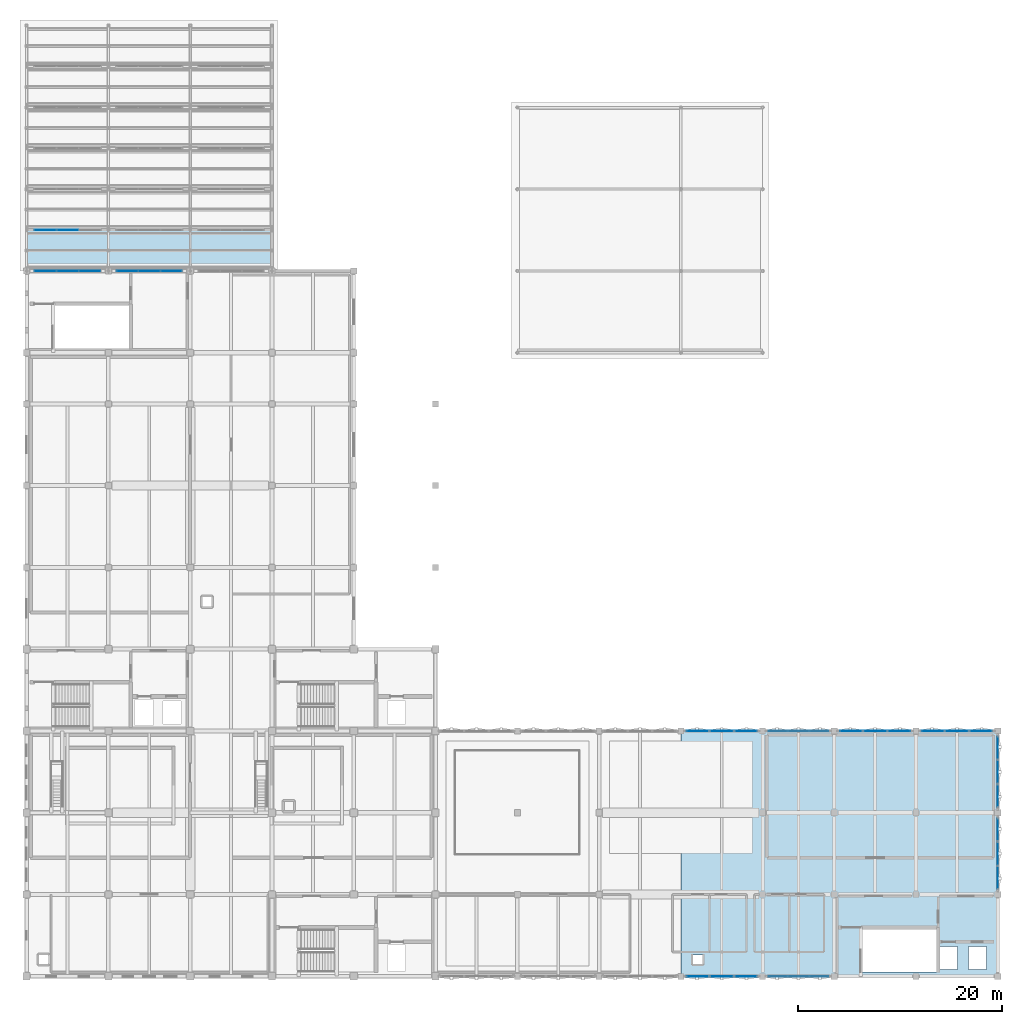
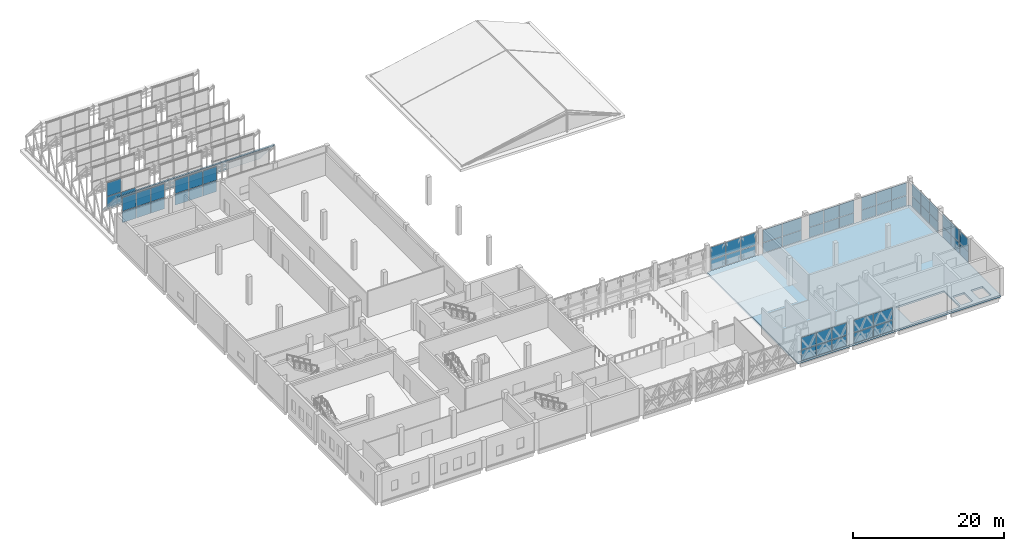
# One storey, part 30 of 43: 59 plates, 2 slabs, 12 elements without a shape of their own.
"""IFC4 building model written with IfcOpenShell, lengths in metres."""

from ifc_helpers import new_model, si_unit, direction, frame, origin, origin_2d, place, context, subcontext, project, spatial, polyline, rectangle, outline, extrude, material, layer, layer_set, type_object, element, aggregate, save


model = new_model("IFC4")

# Units and contexts
model_context = context("Model", 3, precision=1e-05, world=origin(), true_north=direction((0.0, 1.0)))
body_context = subcontext(model_context, "Body", "Model", "MODEL_VIEW")
ifc_project = project(units=[si_unit("LENGTHUNIT", "METRE"), si_unit("AREAUNIT", "SQUARE_METRE"), si_unit("VOLUMEUNIT", "CUBIC_METRE"), si_unit("PLANEANGLEUNIT", "RADIAN"), si_unit("MASSUNIT", "GRAM", prefix="KILO")], contexts=[model_context])

# Site, building, storey
site_placement = place(None, origin())
site = spatial("IfcSite", under=ifc_project, at=site_placement, CompositionType="ELEMENT")
building_placement = place(site_placement, origin())
building = spatial("IfcBuilding", under=site, at=building_placement, Name="Qorikala Patio Media Centre", CompositionType="ELEMENT")
storey_placement = place(building_placement, frame((0.0, 0.0, 18.89990234375)))
storey = spatial("IfcBuildingStorey", under=building, at=storey_placement, Name="L04", CompositionType="ELEMENT", Elevation=18.89990234375)

# Curtain wall, plates
ifc_material_1 = material(Name="Bronze Anodised Aluminium and Low-E Glass", Category="aluminium")
ifc_layer_1 = layer(ifc_material_1, 0.159912109375)
ifc_layer_set_1 = layer_set([ifc_layer_1], Name="Bronze Anodised Aluminium and Low-E Glass")
curtain_wall_type_1 = type_object("IfcCurtainWallType", Name="CW-SAW-656X420", PredefinedType="USERDEFINED", material=ifc_layer_set_1)
curtain_wall_1_placement = place(storey_placement, origin())
curtain_wall_1 = element("IfcCurtainWall", 1, at=curtain_wall_1_placement, inside=storey, type_object=curtain_wall_type_1, Name="L04 Sawtooth Glazing 142", ObjectType="SAWTOOTH GLAZING", PredefinedType="USERDEFINED")
ifc_material_2 = material(Name="Acoustic Laminated Low-E Glass", Category="glass")
ifc_layer_2 = layer(ifc_material_2, 0.031982421875)
ifc_layer_set_2 = layer_set([ifc_layer_2], Name="Acoustic Laminated Low-E Glass")
plate_type_1 = type_object("IfcPlateType", Name="CWP-32", PredefinedType="CURTAIN_PANEL", material=ifc_layer_set_2)
plate_1_placement = place(storey_placement, frame((4.828369140625, 72.0, 2.81005859375), z_axis=(0.0, 0.0, 1.0), x_axis=(1.0, 0.0, 0.0)))
plate_1 = element("IfcPlate", 2, at=plate_1_placement, type_object=plate_type_1, Name="CWS656420 panel 1.1", PredefinedType="CURTAIN_PANEL", context=body_context, shape_type="SweptSolid", body=[
    extrude(rectangle(XDim=2.0966796875, YDim=0.031982421875, at=origin_2d()), origin(), (0.0, 0.0, 1.0), 1.800048828125),
])
plate_2_placement = place(storey_placement, frame((4.828369140625, 72.0, 4.669921875), z_axis=(0.0, 0.0, 1.0), x_axis=(1.0, 0.0, 0.0)))
plate_2 = element("IfcPlate", 3, at=plate_2_placement, type_object=plate_type_1, Name="CWS656420 panel 1.2", PredefinedType="CURTAIN_PANEL", context=body_context, shape_type="SweptSolid", body=[
    extrude(rectangle(XDim=2.0966796875, YDim=0.031982421875, at=origin_2d()), origin(), (0.0, 0.0, 1.0), 2.219970703125),
])
plate_3_placement = place(storey_placement, frame((7.0, 72.0, 2.81005859375), z_axis=(0.0, 0.0, 1.0), x_axis=(1.0, 0.0, 0.0)))
plate_3 = element("IfcPlate", 4, at=plate_3_placement, type_object=plate_type_1, Name="CWS656420 panel 2.1", PredefinedType="CURTAIN_PANEL", context=body_context, shape_type="SweptSolid", body=[
    extrude(rectangle(XDim=2.126708984375, YDim=0.031982421875, at=origin_2d()), origin(), (0.0, 0.0, 1.0), 1.800048828125),
])
plate_4_placement = place(storey_placement, frame((7.0, 72.0, 4.669921875), z_axis=(0.0, 0.0, 1.0), x_axis=(1.0, 0.0, 0.0)))
plate_4 = element("IfcPlate", 5, at=plate_4_placement, type_object=plate_type_1, Name="CWS656420 panel 2.2", PredefinedType="CURTAIN_PANEL", context=body_context, shape_type="SweptSolid", body=[
    extrude(rectangle(XDim=2.126708984375, YDim=0.031982421875, at=origin_2d()), origin(), (0.0, 0.0, 1.0), 2.219970703125),
])
plate_5_placement = place(storey_placement, frame((9.171630859375, 72.0, 2.81005859375), z_axis=(0.0, 0.0, 1.0), x_axis=(1.0, 0.0, 0.0)))
plate_5 = element("IfcPlate", 6, at=plate_5_placement, type_object=plate_type_1, Name="CWS656420 panel 3.1", PredefinedType="CURTAIN_PANEL", context=body_context, shape_type="SweptSolid", body=[
    extrude(rectangle(XDim=2.0966796875, YDim=0.031982421875, at=origin_2d()), origin(), (0.0, 0.0, 1.0), 1.800048828125),
])
plate_6_placement = place(storey_placement, frame((9.171630859375, 72.0, 4.669921875), z_axis=(0.0, 0.0, 1.0), x_axis=(1.0, 0.0, 0.0)))
plate_6 = element("IfcPlate", 7, at=plate_6_placement, type_object=plate_type_1, Name="CWS656420 panel 3.2", PredefinedType="CURTAIN_PANEL", context=body_context, shape_type="SweptSolid", body=[
    extrude(rectangle(XDim=2.0966796875, YDim=0.031982421875, at=origin_2d()), origin(), (0.0, 0.0, 1.0), 2.219970703125),
])
aggregate(curtain_wall_1, [plate_1, plate_2, plate_3, plate_4, plate_5, plate_6])

ifc_layer_3 = layer(ifc_material_1, 0.159912109375)
ifc_layer_set_3 = layer_set([ifc_layer_3], Name="Bronze Anodised Aluminium and Low-E Glass")
curtain_wall_type_2 = type_object("IfcCurtainWallType", Name="CW-SAW-648X420", PredefinedType="USERDEFINED", material=ifc_layer_set_3)
curtain_wall_2_placement = place(storey_placement, origin())
curtain_wall_2 = element("IfcCurtainWall", 8, at=curtain_wall_2_placement, inside=storey, type_object=curtain_wall_type_2, Name="L04 Sawtooth Glazing 143", ObjectType="SAWTOOTH GLAZING", PredefinedType="USERDEFINED")
plate_7_placement = place(storey_placement, frame((12.85498046875, 72.0, 2.81005859375), z_axis=(0.0, 0.0, 1.0), x_axis=(1.0, 0.0, 0.0)))
plate_7 = element("IfcPlate", 9, at=plate_7_placement, type_object=plate_type_1, Name="CWS648420 panel 1.1", PredefinedType="CURTAIN_PANEL", context=body_context, shape_type="SweptSolid", body=[
    extrude(rectangle(XDim=2.070068359375, YDim=0.031982421875, at=origin_2d()), origin(), (0.0, 0.0, 1.0), 1.800048828125),
])
plate_8_placement = place(storey_placement, frame((12.85498046875, 72.0, 4.669921875), z_axis=(0.0, 0.0, 1.0), x_axis=(1.0, 0.0, 0.0)))
plate_8 = element("IfcPlate", 10, at=plate_8_placement, type_object=plate_type_1, Name="CWS648420 panel 1.2", PredefinedType="CURTAIN_PANEL", context=body_context, shape_type="SweptSolid", body=[
    extrude(rectangle(XDim=2.070068359375, YDim=0.031982421875, at=origin_2d()), origin(), (0.0, 0.0, 1.0), 2.219970703125),
])
plate_9_placement = place(storey_placement, frame((15.0, 72.0, 2.81005859375), z_axis=(0.0, 0.0, 1.0), x_axis=(1.0, 0.0, 0.0)))
plate_9 = element("IfcPlate", 11, at=plate_9_placement, type_object=plate_type_1, Name="CWS648420 panel 2.1", PredefinedType="CURTAIN_PANEL", context=body_context, shape_type="SweptSolid", body=[
    extrude(rectangle(XDim=2.10009765625, YDim=0.031982421875, at=origin_2d()), origin(), (0.0, 0.0, 1.0), 1.800048828125),
])
plate_10_placement = place(storey_placement, frame((15.0, 72.0, 4.669921875), z_axis=(0.0, 0.0, 1.0), x_axis=(1.0, 0.0, 0.0)))
plate_10 = element("IfcPlate", 12, at=plate_10_placement, type_object=plate_type_1, Name="CWS648420 panel 2.2", PredefinedType="CURTAIN_PANEL", context=body_context, shape_type="SweptSolid", body=[
    extrude(rectangle(XDim=2.10009765625, YDim=0.031982421875, at=origin_2d()), origin(), (0.0, 0.0, 1.0), 2.219970703125),
])
plate_11_placement = place(storey_placement, frame((17.14501953125, 72.0, 2.81005859375), z_axis=(0.0, 0.0, 1.0), x_axis=(1.0, 0.0, 0.0)))
plate_11 = element("IfcPlate", 13, at=plate_11_placement, type_object=plate_type_1, Name="CWS648420 panel 3.1", PredefinedType="CURTAIN_PANEL", context=body_context, shape_type="SweptSolid", body=[
    extrude(rectangle(XDim=2.070068359375, YDim=0.031982421875, at=origin_2d()), origin(), (0.0, 0.0, 1.0), 1.800048828125),
])
plate_12_placement = place(storey_placement, frame((17.14501953125, 72.0, 4.669921875), z_axis=(0.0, 0.0, 1.0), x_axis=(1.0, 0.0, 0.0)))
plate_12 = element("IfcPlate", 14, at=plate_12_placement, type_object=plate_type_1, Name="CWS648420 panel 3.2", PredefinedType="CURTAIN_PANEL", context=body_context, shape_type="SweptSolid", body=[
    extrude(rectangle(XDim=2.070068359375, YDim=0.031982421875, at=origin_2d()), origin(), (0.0, 0.0, 1.0), 2.219970703125),
])
aggregate(curtain_wall_2, [plate_7, plate_8, plate_9, plate_10, plate_11, plate_12])

ifc_layer_4 = layer(ifc_material_1, 0.159912109375)
ifc_layer_set_4 = layer_set([ifc_layer_4], Name="Bronze Anodised Aluminium and Low-E Glass")
curtain_wall_type_3 = type_object("IfcCurtainWallType", Name="CW-SAW-656X414", PredefinedType="USERDEFINED", material=ifc_layer_set_4)
curtain_wall_3_placement = place(storey_placement, origin())
curtain_wall_3 = element("IfcCurtainWall", 15, at=curtain_wall_3_placement, inside=storey, type_object=curtain_wall_type_3, Name="L04 Sawtooth Glazing 145", ObjectType="SAWTOOTH GLAZING", PredefinedType="USERDEFINED")
plate_13_placement = place(storey_placement, frame((4.828369140625, 76.0, 2.81005859375), z_axis=(0.0, 0.0, 1.0), x_axis=(1.0, 0.0, 0.0)))
plate_13 = element("IfcPlate", 16, at=plate_13_placement, type_object=plate_type_1, Name="CWS656414 panel 1.1", PredefinedType="CURTAIN_PANEL", context=body_context, shape_type="SweptSolid", body=[
    extrude(rectangle(XDim=2.0966796875, YDim=0.031982421875, at=origin_2d()), origin(), (0.0, 0.0, 1.0), 1.77294921875),
])
plate_14_placement = place(storey_placement, frame((4.828369140625, 76.0, 4.64306640625), z_axis=(0.0, 0.0, 1.0), x_axis=(1.0, 0.0, 0.0)))
plate_14 = element("IfcPlate", 17, at=plate_14_placement, type_object=plate_type_1, Name="CWS656414 panel 1.2", PredefinedType="CURTAIN_PANEL", context=body_context, shape_type="SweptSolid", body=[
    extrude(rectangle(XDim=2.0966796875, YDim=0.031982421875, at=origin_2d()), origin(), (0.0, 0.0, 1.0), 2.18701171875),
])
plate_15_placement = place(storey_placement, frame((7.0, 76.0, 2.81005859375), z_axis=(0.0, 0.0, 1.0), x_axis=(1.0, 0.0, 0.0)))
plate_15 = element("IfcPlate", 18, at=plate_15_placement, type_object=plate_type_1, Name="CWS656414 panel 2.1", PredefinedType="CURTAIN_PANEL", context=body_context, shape_type="SweptSolid", body=[
    extrude(rectangle(XDim=2.126708984375, YDim=0.031982421875, at=origin_2d()), origin(), (0.0, 0.0, 1.0), 1.77294921875),
])
aggregate(curtain_wall_3, [plate_13, plate_14, plate_15])

ifc_material_3 = material(Name="Golden Bronze Anodised Aluminium and Low-E Glass", Category="aluminium")
ifc_layer_5 = layer(ifc_material_3, 0.159912109375)
ifc_layer_set_5 = layer_set([ifc_layer_5], Name="Golden Bronze Anodised Aluminium and Low-E Glass")
curtain_wall_type_4 = type_object("IfcCurtainWallType", Name="CW-DIA-696X385", PredefinedType="USERDEFINED", material=ifc_layer_set_5)
curtain_wall_4_placement = place(storey_placement, origin())
curtain_wall_4 = element("IfcCurtainWall", 19, at=curtain_wall_4_placement, inside=storey, type_object=curtain_wall_type_4, Name="L04 Courtyard Curtain Wall 078", ObjectType="COURTYARD CURTAIN WALL", PredefinedType="USERDEFINED")
ifc_material_4 = material(Name="Solar-Control Diamond Facet Glass", Category="glass")
ifc_layer_6 = layer(ifc_material_4, 0.035888671875)
ifc_layer_set_6 = layer_set([ifc_layer_6], Name="Solar-Control Diamond Facet Glass")
plate_type_2 = type_object("IfcPlateType", Name="CWP-36", PredefinedType="CURTAIN_PANEL", material=ifc_layer_set_6)
plate_16_placement = place(storey_placement, frame((68.6962890625, 27.0, 0.06494140625), z_axis=(0.0, 0.0, 1.0), x_axis=(1.0, 0.0, 0.0)))
plate_16 = element("IfcPlate", 20, at=plate_16_placement, type_object=plate_type_2, Name="CWD696385 panel 1.1", PredefinedType="CURTAIN_PANEL", context=body_context, shape_type="SweptSolid", body=[
    extrude(rectangle(XDim=2.222412109375, YDim=0.035888671875, at=origin_2d()), origin(), (0.0, 0.0, 1.0), 1.635009765625),
])
plate_17_placement = place(storey_placement, frame((68.6962890625, 27.0, 1.76513671875), z_axis=(0.0, 0.0, 1.0), x_axis=(1.0, 0.0, 0.0)))
plate_17 = element("IfcPlate", 21, at=plate_17_placement, type_object=plate_type_2, Name="CWD696385 panel 1.2", PredefinedType="CURTAIN_PANEL", context=body_context, shape_type="SweptSolid", body=[
    extrude(rectangle(XDim=2.222412109375, YDim=0.035888671875, at=origin_2d()), origin(), (0.0, 0.0, 1.0), 2.02001953125),
])
plate_18_placement = place(storey_placement, frame((71.0, 27.0, 0.06494140625), z_axis=(0.0, 0.0, 1.0), x_axis=(1.0, 0.0, 0.0)))
plate_18 = element("IfcPlate", 22, at=plate_18_placement, type_object=plate_type_2, Name="CWD696385 panel 2.1", PredefinedType="CURTAIN_PANEL", context=body_context, shape_type="SweptSolid", body=[
    extrude(rectangle(XDim=2.2548828125, YDim=0.035888671875, at=origin_2d()), origin(), (0.0, 0.0, 1.0), 1.635009765625),
])
plate_19_placement = place(storey_placement, frame((71.0, 27.0, 1.76513671875), z_axis=(0.0, 0.0, 1.0), x_axis=(1.0, 0.0, 0.0)))
plate_19 = element("IfcPlate", 23, at=plate_19_placement, type_object=plate_type_2, Name="CWD696385 panel 2.2", PredefinedType="CURTAIN_PANEL", context=body_context, shape_type="SweptSolid", body=[
    extrude(rectangle(XDim=2.2548828125, YDim=0.035888671875, at=origin_2d()), origin(), (0.0, 0.0, 1.0), 2.02001953125),
])
plate_20_placement = place(storey_placement, frame((73.3037109375, 27.0, 0.06494140625), z_axis=(0.0, 0.0, 1.0), x_axis=(1.0, 0.0, 0.0)))
plate_20 = element("IfcPlate", 24, at=plate_20_placement, type_object=plate_type_2, Name="CWD696385 panel 3.1", PredefinedType="CURTAIN_PANEL", context=body_context, shape_type="SweptSolid", body=[
    extrude(rectangle(XDim=2.222412109375, YDim=0.035888671875, at=origin_2d()), origin(), (0.0, 0.0, 1.0), 1.635009765625),
])
plate_21_placement = place(storey_placement, frame((73.3037109375, 27.0, 1.76513671875), z_axis=(0.0, 0.0, 1.0), x_axis=(1.0, 0.0, 0.0)))
plate_21 = element("IfcPlate", 25, at=plate_21_placement, type_object=plate_type_2, Name="CWD696385 panel 3.2", PredefinedType="CURTAIN_PANEL", context=body_context, shape_type="SweptSolid", body=[
    extrude(rectangle(XDim=2.222412109375, YDim=0.035888671875, at=origin_2d()), origin(), (0.0, 0.0, 1.0), 2.02001953125),
])
aggregate(curtain_wall_4, [plate_16, plate_17, plate_18, plate_19, plate_20, plate_21])

ifc_layer_7 = layer(ifc_material_3, 0.159912109375)
ifc_layer_set_7 = layer_set([ifc_layer_7], Name="Golden Bronze Anodised Aluminium and Low-E Glass")
curtain_wall_type_5 = type_object("IfcCurtainWallType", Name="CW-DIA-596X385", PredefinedType="USERDEFINED", material=ifc_layer_set_7)
curtain_wall_5_placement = place(storey_placement, origin())
curtain_wall_5 = element("IfcCurtainWall", 26, at=curtain_wall_5_placement, inside=storey, type_object=curtain_wall_type_5, Name="L04 Courtyard Curtain Wall 079", ObjectType="COURTYARD CURTAIN WALL", PredefinedType="USERDEFINED")
plate_22_placement = place(storey_placement, frame((77.0263671875, 27.0, 0.06494140625), z_axis=(0.0, 0.0, 1.0), x_axis=(1.0, 0.0, 0.0)))
plate_22 = element("IfcPlate", 27, at=plate_22_placement, type_object=plate_type_2, Name="CWD596385 panel 1.1", PredefinedType="CURTAIN_PANEL", context=body_context, shape_type="SweptSolid", body=[
    extrude(rectangle(XDim=2.882568359375, YDim=0.035888671875, at=origin_2d()), origin(), (0.0, 0.0, 1.0), 1.635009765625),
])
plate_23_placement = place(storey_placement, frame((77.0263671875, 27.0, 1.76513671875), z_axis=(0.0, 0.0, 1.0), x_axis=(1.0, 0.0, 0.0)))
plate_23 = element("IfcPlate", 28, at=plate_23_placement, type_object=plate_type_2, Name="CWD596385 panel 1.2", PredefinedType="CURTAIN_PANEL", context=body_context, shape_type="SweptSolid", body=[
    extrude(rectangle(XDim=2.882568359375, YDim=0.035888671875, at=origin_2d()), origin(), (0.0, 0.0, 1.0), 2.02001953125),
])
plate_24_placement = place(storey_placement, frame((79.9736328125, 27.0, 0.06494140625), z_axis=(0.0, 0.0, 1.0), x_axis=(1.0, 0.0, 0.0)))
plate_24 = element("IfcPlate", 29, at=plate_24_placement, type_object=plate_type_2, Name="CWD596385 panel 2.1", PredefinedType="CURTAIN_PANEL", context=body_context, shape_type="SweptSolid", body=[
    extrude(rectangle(XDim=2.882568359375, YDim=0.035888671875, at=origin_2d()), origin(), (0.0, 0.0, 1.0), 1.635009765625),
])
plate_25_placement = place(storey_placement, frame((79.9736328125, 27.0, 1.76513671875), z_axis=(0.0, 0.0, 1.0), x_axis=(1.0, 0.0, 0.0)))
plate_25 = element("IfcPlate", 30, at=plate_25_placement, type_object=plate_type_2, Name="CWD596385 panel 2.2", PredefinedType="CURTAIN_PANEL", context=body_context, shape_type="SweptSolid", body=[
    extrude(rectangle(XDim=2.882568359375, YDim=0.035888671875, at=origin_2d()), origin(), (0.0, 0.0, 1.0), 2.02001953125),
])
aggregate(curtain_wall_5, [plate_22, plate_23, plate_24, plate_25])

curtain_wall_6_placement = place(storey_placement, origin())
curtain_wall_6 = element("IfcCurtainWall", 31, at=curtain_wall_6_placement, inside=storey, type_object=curtain_wall_type_4, Name="L04 Courtyard Curtain Wall 080", ObjectType="COURTYARD CURTAIN WALL", PredefinedType="USERDEFINED")
plate_26_placement = place(storey_placement, frame((83.6962890625, 27.0, 0.06494140625), z_axis=(0.0, 0.0, 1.0), x_axis=(1.0, 0.0, 0.0)))
plate_26 = element("IfcPlate", 32, at=plate_26_placement, type_object=plate_type_2, Name="CWD696385 panel 1.1", PredefinedType="CURTAIN_PANEL", context=body_context, shape_type="SweptSolid", body=[
    extrude(rectangle(XDim=2.222412109375, YDim=0.035888671875, at=origin_2d()), origin(), (0.0, 0.0, 1.0), 1.635009765625),
])
plate_27_placement = place(storey_placement, frame((83.6962890625, 27.0, 1.76513671875), z_axis=(0.0, 0.0, 1.0), x_axis=(1.0, 0.0, 0.0)))
plate_27 = element("IfcPlate", 33, at=plate_27_placement, type_object=plate_type_2, Name="CWD696385 panel 1.2", PredefinedType="CURTAIN_PANEL", context=body_context, shape_type="SweptSolid", body=[
    extrude(rectangle(XDim=2.222412109375, YDim=0.035888671875, at=origin_2d()), origin(), (0.0, 0.0, 1.0), 2.02001953125),
])
plate_28_placement = place(storey_placement, frame((86.0, 27.0, 0.06494140625), z_axis=(0.0, 0.0, 1.0), x_axis=(1.0, 0.0, 0.0)))
plate_28 = element("IfcPlate", 34, at=plate_28_placement, type_object=plate_type_2, Name="CWD696385 panel 2.1", PredefinedType="CURTAIN_PANEL", context=body_context, shape_type="SweptSolid", body=[
    extrude(rectangle(XDim=2.2548828125, YDim=0.035888671875, at=origin_2d()), origin(), (0.0, 0.0, 1.0), 1.635009765625),
])
plate_29_placement = place(storey_placement, frame((86.0, 27.0, 1.76513671875), z_axis=(0.0, 0.0, 1.0), x_axis=(1.0, 0.0, 0.0)))
plate_29 = element("IfcPlate", 35, at=plate_29_placement, type_object=plate_type_2, Name="CWD696385 panel 2.2", PredefinedType="CURTAIN_PANEL", context=body_context, shape_type="SweptSolid", body=[
    extrude(rectangle(XDim=2.2548828125, YDim=0.035888671875, at=origin_2d()), origin(), (0.0, 0.0, 1.0), 2.02001953125),
])
plate_30_placement = place(storey_placement, frame((88.3037109375, 27.0, 0.06494140625), z_axis=(0.0, 0.0, 1.0), x_axis=(1.0, 0.0, 0.0)))
plate_30 = element("IfcPlate", 36, at=plate_30_placement, type_object=plate_type_2, Name="CWD696385 panel 3.1", PredefinedType="CURTAIN_PANEL", context=body_context, shape_type="SweptSolid", body=[
    extrude(rectangle(XDim=2.222412109375, YDim=0.035888671875, at=origin_2d()), origin(), (0.0, 0.0, 1.0), 1.635009765625),
])
plate_31_placement = place(storey_placement, frame((88.3037109375, 27.0, 1.76513671875), z_axis=(0.0, 0.0, 1.0), x_axis=(1.0, 0.0, 0.0)))
plate_31 = element("IfcPlate", 37, at=plate_31_placement, type_object=plate_type_2, Name="CWD696385 panel 3.2", PredefinedType="CURTAIN_PANEL", context=body_context, shape_type="SweptSolid", body=[
    extrude(rectangle(XDim=2.222412109375, YDim=0.035888671875, at=origin_2d()), origin(), (0.0, 0.0, 1.0), 2.02001953125),
])
aggregate(curtain_wall_6, [plate_26, plate_27, plate_28, plate_29, plate_30, plate_31])

curtain_wall_7_placement = place(storey_placement, origin())
curtain_wall_7 = element("IfcCurtainWall", 38, at=curtain_wall_7_placement, inside=storey, type_object=curtain_wall_type_4, Name="L04 Courtyard Curtain Wall 081", ObjectType="COURTYARD CURTAIN WALL", PredefinedType="USERDEFINED")
plate_32_placement = place(storey_placement, frame((91.6962890625, 27.0, 0.06494140625), z_axis=(0.0, 0.0, 1.0), x_axis=(1.0, 0.0, 0.0)))
plate_32 = element("IfcPlate", 39, at=plate_32_placement, type_object=plate_type_2, Name="CWD696385 panel 1.1", PredefinedType="CURTAIN_PANEL", context=body_context, shape_type="SweptSolid", body=[
    extrude(rectangle(XDim=2.222412109375, YDim=0.035888671875, at=origin_2d()), origin(), (0.0, 0.0, 1.0), 1.635009765625),
])
plate_33_placement = place(storey_placement, frame((91.6962890625, 27.0, 1.76513671875), z_axis=(0.0, 0.0, 1.0), x_axis=(1.0, 0.0, 0.0)))
plate_33 = element("IfcPlate", 40, at=plate_33_placement, type_object=plate_type_2, Name="CWD696385 panel 1.2", PredefinedType="CURTAIN_PANEL", context=body_context, shape_type="SweptSolid", body=[
    extrude(rectangle(XDim=2.222412109375, YDim=0.035888671875, at=origin_2d()), origin(), (0.0, 0.0, 1.0), 2.02001953125),
])
plate_34_placement = place(storey_placement, frame((94.0, 27.0, 0.06494140625), z_axis=(0.0, 0.0, 1.0), x_axis=(1.0, 0.0, 0.0)))
plate_34 = element("IfcPlate", 41, at=plate_34_placement, type_object=plate_type_2, Name="CWD696385 panel 2.1", PredefinedType="CURTAIN_PANEL", context=body_context, shape_type="SweptSolid", body=[
    extrude(rectangle(XDim=2.2548828125, YDim=0.035888671875, at=origin_2d()), origin(), (0.0, 0.0, 1.0), 1.635009765625),
])
plate_35_placement = place(storey_placement, frame((94.0, 27.0, 1.76513671875), z_axis=(0.0, 0.0, 1.0), x_axis=(1.0, 0.0, 0.0)))
plate_35 = element("IfcPlate", 42, at=plate_35_placement, type_object=plate_type_2, Name="CWD696385 panel 2.2", PredefinedType="CURTAIN_PANEL", context=body_context, shape_type="SweptSolid", body=[
    extrude(rectangle(XDim=2.2548828125, YDim=0.035888671875, at=origin_2d()), origin(), (0.0, 0.0, 1.0), 2.02001953125),
])
plate_36_placement = place(storey_placement, frame((96.3037109375, 27.0, 0.06494140625), z_axis=(0.0, 0.0, 1.0), x_axis=(1.0, 0.0, 0.0)))
plate_36 = element("IfcPlate", 43, at=plate_36_placement, type_object=plate_type_2, Name="CWD696385 panel 3.1", PredefinedType="CURTAIN_PANEL", context=body_context, shape_type="SweptSolid", body=[
    extrude(rectangle(XDim=2.222412109375, YDim=0.035888671875, at=origin_2d()), origin(), (0.0, 0.0, 1.0), 1.635009765625),
])
plate_37_placement = place(storey_placement, frame((96.3037109375, 27.0, 1.76513671875), z_axis=(0.0, 0.0, 1.0), x_axis=(1.0, 0.0, 0.0)))
plate_37 = element("IfcPlate", 44, at=plate_37_placement, type_object=plate_type_2, Name="CWD696385 panel 3.2", PredefinedType="CURTAIN_PANEL", context=body_context, shape_type="SweptSolid", body=[
    extrude(rectangle(XDim=2.222412109375, YDim=0.035888671875, at=origin_2d()), origin(), (0.0, 0.0, 1.0), 2.02001953125),
])
aggregate(curtain_wall_7, [plate_32, plate_33, plate_34, plate_35, plate_36, plate_37])

curtain_wall_8_placement = place(storey_placement, origin())
curtain_wall_8 = element("IfcCurtainWall", 45, at=curtain_wall_8_placement, inside=storey, type_object=curtain_wall_type_4, Name="L04 Courtyard Curtain Wall 082", ObjectType="COURTYARD CURTAIN WALL", PredefinedType="USERDEFINED")
plate_38_placement = place(storey_placement, frame((98.0, 25.3037109375, 0.06494140625), z_axis=(0.0, 0.0, 1.0), x_axis=(0.0, -1.0, 0.0)))
plate_38 = element("IfcPlate", 46, at=plate_38_placement, type_object=plate_type_2, Name="CWD696385 panel 1.1", PredefinedType="CURTAIN_PANEL", context=body_context, shape_type="SweptSolid", body=[
    extrude(rectangle(XDim=2.222412109375, YDim=0.035888671875, at=origin_2d()), origin(), (0.0, 0.0, 1.0), 1.635009765625),
])
plate_39_placement = place(storey_placement, frame((98.0, 25.3037109375, 1.76513671875), z_axis=(0.0, 0.0, 1.0), x_axis=(0.0, -1.0, 0.0)))
plate_39 = element("IfcPlate", 47, at=plate_39_placement, type_object=plate_type_2, Name="CWD696385 panel 1.2", PredefinedType="CURTAIN_PANEL", context=body_context, shape_type="SweptSolid", body=[
    extrude(rectangle(XDim=2.222412109375, YDim=0.035888671875, at=origin_2d()), origin(), (0.0, 0.0, 1.0), 2.02001953125),
])
plate_40_placement = place(storey_placement, frame((98.0, 23.0, 0.06494140625), z_axis=(0.0, 0.0, 1.0), x_axis=(0.0, -1.0, 0.0)))
plate_40 = element("IfcPlate", 48, at=plate_40_placement, type_object=plate_type_2, Name="CWD696385 panel 2.1", PredefinedType="CURTAIN_PANEL", context=body_context, shape_type="SweptSolid", body=[
    extrude(rectangle(XDim=2.2548828125, YDim=0.035888671875, at=origin_2d()), origin(), (0.0, 0.0, 1.0), 1.635009765625),
])
plate_41_placement = place(storey_placement, frame((98.0, 23.0, 1.76513671875), z_axis=(0.0, 0.0, 1.0), x_axis=(0.0, -1.0, 0.0)))
plate_41 = element("IfcPlate", 49, at=plate_41_placement, type_object=plate_type_2, Name="CWD696385 panel 2.2", PredefinedType="CURTAIN_PANEL", context=body_context, shape_type="SweptSolid", body=[
    extrude(rectangle(XDim=2.2548828125, YDim=0.035888671875, at=origin_2d()), origin(), (0.0, 0.0, 1.0), 2.02001953125),
])
plate_42_placement = place(storey_placement, frame((98.0, 20.6962890625, 0.06494140625), z_axis=(0.0, 0.0, 1.0), x_axis=(0.0, -1.0, 0.0)))
plate_42 = element("IfcPlate", 50, at=plate_42_placement, type_object=plate_type_2, Name="CWD696385 panel 3.1", PredefinedType="CURTAIN_PANEL", context=body_context, shape_type="SweptSolid", body=[
    extrude(rectangle(XDim=2.222412109375, YDim=0.035888671875, at=origin_2d()), origin(), (0.0, 0.0, 1.0), 1.635009765625),
])
plate_43_placement = place(storey_placement, frame((98.0, 20.6962890625, 1.76513671875), z_axis=(0.0, 0.0, 1.0), x_axis=(0.0, -1.0, 0.0)))
plate_43 = element("IfcPlate", 51, at=plate_43_placement, type_object=plate_type_2, Name="CWD696385 panel 3.2", PredefinedType="CURTAIN_PANEL", context=body_context, shape_type="SweptSolid", body=[
    extrude(rectangle(XDim=2.222412109375, YDim=0.035888671875, at=origin_2d()), origin(), (0.0, 0.0, 1.0), 2.02001953125),
])
aggregate(curtain_wall_8, [plate_38, plate_39, plate_40, plate_41, plate_42, plate_43])

curtain_wall_9_placement = place(storey_placement, origin())
curtain_wall_9 = element("IfcCurtainWall", 52, at=curtain_wall_9_placement, inside=storey, type_object=curtain_wall_type_4, Name="L04 Courtyard Curtain Wall 083", ObjectType="COURTYARD CURTAIN WALL", PredefinedType="USERDEFINED")
plate_44_placement = place(storey_placement, frame((98.0, 17.3037109375, 0.06494140625), z_axis=(0.0, 0.0, 1.0), x_axis=(0.0, -1.0, 0.0)))
plate_44 = element("IfcPlate", 53, at=plate_44_placement, type_object=plate_type_2, Name="CWD696385 panel 1.1", PredefinedType="CURTAIN_PANEL", context=body_context, shape_type="SweptSolid", body=[
    extrude(rectangle(XDim=2.222412109375, YDim=0.035888671875, at=origin_2d()), origin(), (0.0, 0.0, 1.0), 1.635009765625),
])
plate_45_placement = place(storey_placement, frame((98.0, 17.3037109375, 1.76513671875), z_axis=(0.0, 0.0, 1.0), x_axis=(0.0, -1.0, 0.0)))
plate_45 = element("IfcPlate", 54, at=plate_45_placement, type_object=plate_type_2, Name="CWD696385 panel 1.2", PredefinedType="CURTAIN_PANEL", context=body_context, shape_type="SweptSolid", body=[
    extrude(rectangle(XDim=2.222412109375, YDim=0.035888671875, at=origin_2d()), origin(), (0.0, 0.0, 1.0), 2.02001953125),
])
plate_46_placement = place(storey_placement, frame((98.0, 15.0, 0.06494140625), z_axis=(0.0, 0.0, 1.0), x_axis=(0.0, -1.0, 0.0)))
plate_46 = element("IfcPlate", 55, at=plate_46_placement, type_object=plate_type_2, Name="CWD696385 panel 2.1", PredefinedType="CURTAIN_PANEL", context=body_context, shape_type="SweptSolid", body=[
    extrude(rectangle(XDim=2.2548828125, YDim=0.035888671875, at=origin_2d()), origin(), (0.0, 0.0, 1.0), 1.635009765625),
])
plate_47_placement = place(storey_placement, frame((98.0, 15.0, 1.76513671875), z_axis=(0.0, 0.0, 1.0), x_axis=(0.0, -1.0, 0.0)))
plate_47 = element("IfcPlate", 56, at=plate_47_placement, type_object=plate_type_2, Name="CWD696385 panel 2.2", PredefinedType="CURTAIN_PANEL", context=body_context, shape_type="SweptSolid", body=[
    extrude(rectangle(XDim=2.2548828125, YDim=0.035888671875, at=origin_2d()), origin(), (0.0, 0.0, 1.0), 2.02001953125),
])
plate_48_placement = place(storey_placement, frame((98.0, 12.6962890625, 0.06494140625), z_axis=(0.0, 0.0, 1.0), x_axis=(0.0, -1.0, 0.0)))
plate_48 = element("IfcPlate", 57, at=plate_48_placement, type_object=plate_type_2, Name="CWD696385 panel 3.1", PredefinedType="CURTAIN_PANEL", context=body_context, shape_type="SweptSolid", body=[
    extrude(rectangle(XDim=2.222412109375, YDim=0.035888671875, at=origin_2d()), origin(), (0.0, 0.0, 1.0), 1.635009765625),
])
plate_49_placement = place(storey_placement, frame((98.0, 12.6962890625, 1.76513671875), z_axis=(0.0, 0.0, 1.0), x_axis=(0.0, -1.0, 0.0)))
plate_49 = element("IfcPlate", 58, at=plate_49_placement, type_object=plate_type_2, Name="CWD696385 panel 3.2", PredefinedType="CURTAIN_PANEL", context=body_context, shape_type="SweptSolid", body=[
    extrude(rectangle(XDim=2.222412109375, YDim=0.035888671875, at=origin_2d()), origin(), (0.0, 0.0, 1.0), 2.02001953125),
])
aggregate(curtain_wall_9, [plate_44, plate_45, plate_46, plate_47, plate_48, plate_49])

curtain_wall_10_placement = place(storey_placement, origin())
curtain_wall_10 = element("IfcCurtainWall", 59, at=curtain_wall_10_placement, inside=storey, type_object=curtain_wall_type_5, Name="L04 Courtyard Curtain Wall 084", ObjectType="COURTYARD CURTAIN WALL", PredefinedType="USERDEFINED")
plate_50_placement = place(storey_placement, frame((79.9736328125, 3.0, 0.06494140625), z_axis=(0.0, 0.0, 1.0), x_axis=(-1.0, 0.0, 0.0)))
plate_50 = element("IfcPlate", 60, at=plate_50_placement, type_object=plate_type_2, Name="CWD596385 panel 1.1", PredefinedType="CURTAIN_PANEL", context=body_context, shape_type="SweptSolid", body=[
    extrude(rectangle(XDim=2.882568359375, YDim=0.035888671875, at=origin_2d()), origin(), (0.0, 0.0, 1.0), 1.635009765625),
])
plate_51_placement = place(storey_placement, frame((79.9736328125, 3.0, 1.76513671875), z_axis=(0.0, 0.0, 1.0), x_axis=(-1.0, 0.0, 0.0)))
plate_51 = element("IfcPlate", 61, at=plate_51_placement, type_object=plate_type_2, Name="CWD596385 panel 1.2", PredefinedType="CURTAIN_PANEL", context=body_context, shape_type="SweptSolid", body=[
    extrude(rectangle(XDim=2.882568359375, YDim=0.035888671875, at=origin_2d()), origin(), (0.0, 0.0, 1.0), 2.02001953125),
])
plate_52_placement = place(storey_placement, frame((77.0263671875, 3.0, 0.06494140625), z_axis=(0.0, 0.0, 1.0), x_axis=(-1.0, 0.0, 0.0)))
plate_52 = element("IfcPlate", 62, at=plate_52_placement, type_object=plate_type_2, Name="CWD596385 panel 2.1", PredefinedType="CURTAIN_PANEL", context=body_context, shape_type="SweptSolid", body=[
    extrude(rectangle(XDim=2.882568359375, YDim=0.035888671875, at=origin_2d()), origin(), (0.0, 0.0, 1.0), 1.635009765625),
])
plate_53_placement = place(storey_placement, frame((77.0263671875, 3.0, 1.76513671875), z_axis=(0.0, 0.0, 1.0), x_axis=(-1.0, 0.0, 0.0)))
plate_53 = element("IfcPlate", 63, at=plate_53_placement, type_object=plate_type_2, Name="CWD596385 panel 2.2", PredefinedType="CURTAIN_PANEL", context=body_context, shape_type="SweptSolid", body=[
    extrude(rectangle(XDim=2.882568359375, YDim=0.035888671875, at=origin_2d()), origin(), (0.0, 0.0, 1.0), 2.02001953125),
])
aggregate(curtain_wall_10, [plate_50, plate_51, plate_52, plate_53])

curtain_wall_11_placement = place(storey_placement, origin())
curtain_wall_11 = element("IfcCurtainWall", 64, at=curtain_wall_11_placement, inside=storey, type_object=curtain_wall_type_4, Name="L04 Courtyard Curtain Wall 085", ObjectType="COURTYARD CURTAIN WALL", PredefinedType="USERDEFINED")
plate_54_placement = place(storey_placement, frame((73.3037109375, 3.0, 0.06494140625), z_axis=(0.0, 0.0, 1.0), x_axis=(-1.0, 0.0, 0.0)))
plate_54 = element("IfcPlate", 65, at=plate_54_placement, type_object=plate_type_2, Name="CWD696385 panel 1.1", PredefinedType="CURTAIN_PANEL", context=body_context, shape_type="SweptSolid", body=[
    extrude(rectangle(XDim=2.222412109375, YDim=0.035888671875, at=origin_2d()), origin(), (0.0, 0.0, 1.0), 1.635009765625),
])
plate_55_placement = place(storey_placement, frame((73.3037109375, 3.0, 1.76513671875), z_axis=(0.0, 0.0, 1.0), x_axis=(-1.0, 0.0, 0.0)))
plate_55 = element("IfcPlate", 66, at=plate_55_placement, type_object=plate_type_2, Name="CWD696385 panel 1.2", PredefinedType="CURTAIN_PANEL", context=body_context, shape_type="SweptSolid", body=[
    extrude(rectangle(XDim=2.222412109375, YDim=0.035888671875, at=origin_2d()), origin(), (0.0, 0.0, 1.0), 2.02001953125),
])
plate_56_placement = place(storey_placement, frame((71.0, 3.0, 0.06494140625), z_axis=(0.0, 0.0, 1.0), x_axis=(-1.0, 0.0, 0.0)))
plate_56 = element("IfcPlate", 67, at=plate_56_placement, type_object=plate_type_2, Name="CWD696385 panel 2.1", PredefinedType="CURTAIN_PANEL", context=body_context, shape_type="SweptSolid", body=[
    extrude(rectangle(XDim=2.2548828125, YDim=0.035888671875, at=origin_2d()), origin(), (0.0, 0.0, 1.0), 1.635009765625),
])
plate_57_placement = place(storey_placement, frame((71.0, 3.0, 1.76513671875), z_axis=(0.0, 0.0, 1.0), x_axis=(-1.0, 0.0, 0.0)))
plate_57 = element("IfcPlate", 68, at=plate_57_placement, type_object=plate_type_2, Name="CWD696385 panel 2.2", PredefinedType="CURTAIN_PANEL", context=body_context, shape_type="SweptSolid", body=[
    extrude(rectangle(XDim=2.2548828125, YDim=0.035888671875, at=origin_2d()), origin(), (0.0, 0.0, 1.0), 2.02001953125),
])
plate_58_placement = place(storey_placement, frame((68.6962890625, 3.0, 0.06494140625), z_axis=(0.0, 0.0, 1.0), x_axis=(-1.0, 0.0, 0.0)))
plate_58 = element("IfcPlate", 69, at=plate_58_placement, type_object=plate_type_2, Name="CWD696385 panel 3.1", PredefinedType="CURTAIN_PANEL", context=body_context, shape_type="SweptSolid", body=[
    extrude(rectangle(XDim=2.222412109375, YDim=0.035888671875, at=origin_2d()), origin(), (0.0, 0.0, 1.0), 1.635009765625),
])
plate_59_placement = place(storey_placement, frame((68.6962890625, 3.0, 1.76513671875), z_axis=(0.0, 0.0, 1.0), x_axis=(-1.0, 0.0, 0.0)))
plate_59 = element("IfcPlate", 70, at=plate_59_placement, type_object=plate_type_2, Name="CWD696385 panel 3.2", PredefinedType="CURTAIN_PANEL", context=body_context, shape_type="SweptSolid", body=[
    extrude(rectangle(XDim=2.222412109375, YDim=0.035888671875, at=origin_2d()), origin(), (0.0, 0.0, 1.0), 2.02001953125),
])
aggregate(curtain_wall_11, [plate_54, plate_55, plate_56, plate_57, plate_58, plate_59])

# Slab
ifc_material_5 = material(Name="Concrete C35/45", Category="concrete")
ifc_layer_8 = layer(ifc_material_5, 0.300048828125)
ifc_layer_set_8 = layer_set([ifc_layer_8], Name="Concrete C35/45")
slab_type_1 = type_object("IfcSlabType", Name="SL-FLOOR-300", PredefinedType="FLOOR", material=ifc_layer_set_8)
slab_1_placement = place(storey_placement, frame((0.0, 0.0, -0.2998046875)))
element("IfcSlab", 71, at=slab_1_placement, inside=storey, type_object=slab_type_1, Name="L04 V2B Slab 4.1", PredefinedType="FLOOR", context=body_context, shape_type="SweptSolid", body=[
    extrude(outline(polyline([(98.0, 3.0), (67.0, 3.0), (67.0, 27.0), (98.0, 27.0), (98.0, 3.0)]), holes=[polyline([(69.10009765625, 4.199951171875), (69.10009765625, 5.10009765625), (68.199951171875, 5.10009765625), (68.199951171875, 4.199951171875), (69.10009765625, 4.199951171875)]), polyline([(94.080078125, 3.669921875), (94.080078125, 5.929931640625), (92.320068359375, 5.929931640625), (92.320068359375, 3.669921875), (94.080078125, 3.669921875)]), polyline([(96.8798828125, 3.669921875), (96.8798828125, 5.929931640625), (95.1201171875, 5.929931640625), (95.1201171875, 3.669921875), (96.8798828125, 3.669921875)]), polyline([(92.0, 3.39990234375), (92.0, 7.60009765625), (84.60009765625, 7.60009765625), (84.60009765625, 3.39990234375), (92.0, 3.39990234375)])]), origin(), (0.0, 0.0, 1.0), 0.2998046875),
])

# Roof, slab
ifc_material_6 = material(Name="Steel S355", Category="steel")
roof_type = type_object("IfcRoofType", Name="ROOF-SAWTOOTH", PredefinedType="SHED_ROOF", material=ifc_material_6)
roof_placement = place(storey_placement, origin())
roof = element("IfcRoof", 72, at=roof_placement, inside=storey, type_object=roof_type, Name="SAW-V4 Sawtooth Roof Bay 1", PredefinedType="SHED_ROOF")
ifc_material_7 = material(Name="Insulated Steel Deck and Concrete C35/45", Category="concrete")
ifc_layer_9 = layer(ifc_material_7, 0.159912109375)
ifc_layer_set_9 = layer_set([ifc_layer_9], Name="Insulated Steel Deck and Concrete C35/45")
slab_type_2 = type_object("IfcSlabType", Name="SL-SAW-160", PredefinedType="ROOF", material=ifc_layer_set_9)
slab_2_placement = place(storey_placement, frame((3.0, 72.0, 7.400146484375), z_axis=(0.0, 0.758114748465, 0.652121175978), x_axis=(1.0, 0.0, 0.0)))
slab_2 = element("IfcSlab", 73, at=slab_2_placement, type_object=slab_type_2, Name="SAW-V4 Sawtooth Roof Slab Bay 1", PredefinedType="ROOF", context=body_context, shape_type="SweptSolid", body=[
    extrude(outline(polyline([(0.0, 0.0), (24.0, 0.0), (24.0, 6.1338293362421785), (0.0, 6.1338293362421785), (0.0, 0.0)])), origin(), (0.0, 0.0, -1.0), 0.159912109375),
])
aggregate(roof, [slab_2])

save(model, "model.ifc")
